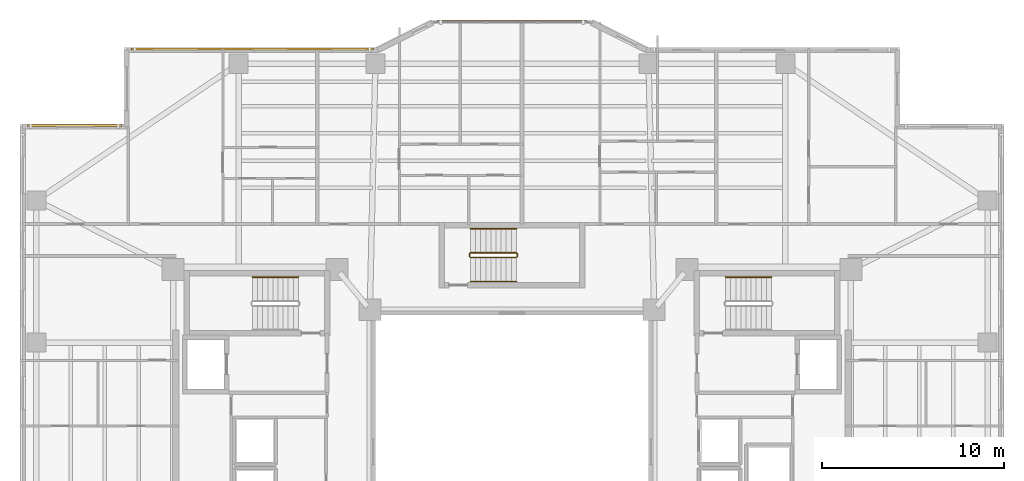
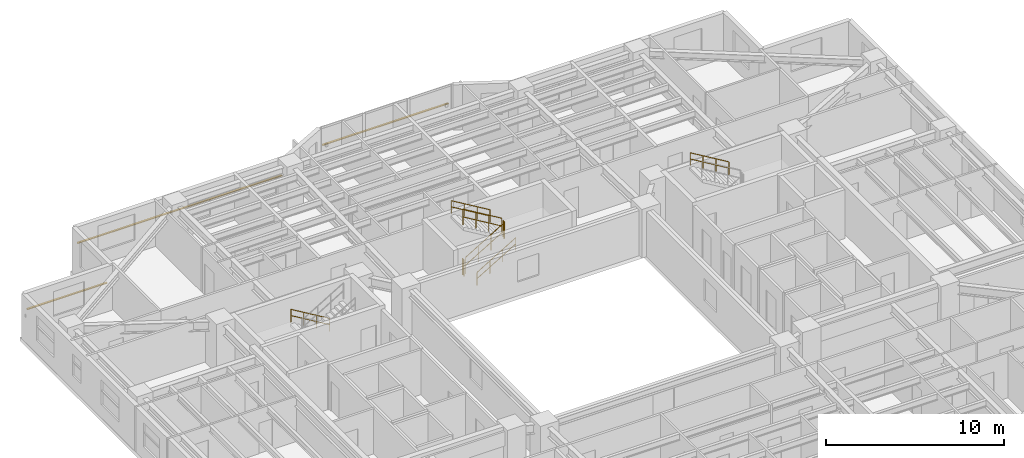
# One storey, part 18 of 19: 8 railings, 3 shading devices.
"""IFC4 building model written with IfcOpenShell, lengths in metres."""

from ifc_helpers import new_model, si_unit, direction, frame, origin, origin_2d, place, context, subcontext, project, spatial, rectangle, circle, extrude, material, material_profile, profile_set, type_object, element, save


model = new_model("IFC4")

# Units and contexts
model_context = context("Model", 3, precision=1e-05, world=origin(), true_north=direction((0.0, 1.0)))
body_context = subcontext(model_context, "Body", "Model", "MODEL_VIEW")
ifc_project = project(units=[si_unit("LENGTHUNIT", "METRE"), si_unit("AREAUNIT", "SQUARE_METRE"), si_unit("VOLUMEUNIT", "CUBIC_METRE"), si_unit("PLANEANGLEUNIT", "RADIAN"), si_unit("MASSUNIT", "GRAM", prefix="KILO")], contexts=[model_context])

# Site, building, storey
site_placement = place(None, origin())
site = spatial("IfcSite", under=ifc_project, at=site_placement, CompositionType="ELEMENT")
building_placement = place(site_placement, origin())
building = spatial("IfcBuilding", under=site, at=building_placement, Name="Tarnavaz Court Tower", CompositionType="ELEMENT")
storey_placement = place(building_placement, frame((0.0, 0.0, 81.64990234375)))
storey = spatial("IfcBuildingStorey", under=building, at=storey_placement, Name="L21", CompositionType="ELEMENT", Elevation=81.64990234375)

# Railings
ifc_material_1 = material(Name="Brushed Stainless Steel", Category="steel")
railing_type_1 = type_object("IfcRailingType", Name="RL-HANDRAIL-900", PredefinedType="HANDRAIL", material=ifc_material_1)
for number, where, name in (
    (1, (-11.719970703125, 9.590087890625, 0.16748046875), "L21 ST-W1 stair handrail 1"),
    (2, (14.239990234375, 9.590087890625, 1.842529296875), "L21 ST-E1 stair handrail 2"),
):
    element("IfcRailing", number, at=place(storey_placement, frame(where)), inside=storey, type_object=railing_type_1, Name=name, PredefinedType="HANDRAIL", context=body_context, shape_type="SweptSolid", body=[
        extrude(circle(Radius=0.02392578125, at=origin_2d()), frame((0.0, 0.0, 0.8759765625), z_axis=(-0.858159760407, 0.0, 0.513382728203), x_axis=(0.0, -1.0, 0.0)), (0.0, 0.0, 1.0), 2.9365234375),
        extrude(circle(Radius=0.02392578125, at=origin_2d()), frame((0.0, 0.0, 0.449951171875), z_axis=(-0.858159760407, 0.0, 0.513382728203), x_axis=(0.0, -1.0, 0.0)), (0.0, 0.0, 1.0), 2.9365234375),
        extrude(circle(Radius=0.02099609375, at=origin_2d()), origin(), (0.0, 0.0, 1.0), 0.851806640625),
        extrude(circle(Radius=0.02099609375, at=origin_2d()), frame((-0.840087890625, 0.0, 0.50244140625)), (0.0, 0.0, 1.0), 0.851806640625),
        extrude(circle(Radius=0.02099609375, at=origin_2d()), frame((-1.679931640625, 0.0, 1.005126953125)), (0.0, 0.0, 1.0), 0.851806640625),
        extrude(circle(Radius=0.02099609375, at=origin_2d()), frame((-2.52001953125, 0.0, 1.507568359375)), (0.0, 0.0, 1.0), 0.851806640625),
    ])
railing_1_placement = place(storey_placement, frame((-2.280029296875, 9.35009765625, 0.16748046875)))
element("IfcRailing", 3, at=railing_1_placement, inside=storey, type_object=railing_type_1, Name="L21 ST-N1 stair handrail 1", PredefinedType="HANDRAIL", context=body_context, shape_type="SweptSolid", body=[
    extrude(circle(Radius=0.02392578125, at=origin_2d()), frame((0.0, 0.0, 0.8759765625), z_axis=(0.858159760407, 0.0, 0.513382728203), x_axis=(0.0, 1.0, 0.0)), (0.0, 0.0, 1.0), 2.9365234375),
    extrude(circle(Radius=0.02392578125, at=origin_2d()), frame((0.0, 0.0, 0.449951171875), z_axis=(0.858159760407, 0.0, 0.513382728203), x_axis=(0.0, 1.0, 0.0)), (0.0, 0.0, 1.0), 2.9365234375),
    extrude(circle(Radius=0.02099609375, at=origin_2d()), origin(), (0.0, 0.0, 1.0), 0.851806640625),
    extrude(circle(Radius=0.02099609375, at=origin_2d()), frame((0.840087890625, 0.0, 0.50244140625)), (0.0, 0.0, 1.0), 0.851806640625),
    extrude(circle(Radius=0.02099609375, at=origin_2d()), frame((1.679931640625, 0.0, 1.005126953125)), (0.0, 0.0, 1.0), 0.851806640625),
    extrude(circle(Radius=0.02099609375, at=origin_2d()), frame((2.52001953125, 0.0, 1.507568359375)), (0.0, 0.0, 1.0), 0.851806640625),
])
railing_2_placement = place(storey_placement, frame((0.239990234375, 12.239990234375, 1.842529296875)))
element("IfcRailing", 4, at=railing_2_placement, inside=storey, type_object=railing_type_1, Name="L21 ST-N1 stair handrail 2", PredefinedType="HANDRAIL", context=body_context, shape_type="SweptSolid", body=[
    extrude(circle(Radius=0.02392578125, at=origin_2d()), frame((0.0, 0.0, 0.8759765625), z_axis=(-0.858159760407, 0.0, 0.513382728203), x_axis=(0.0, -1.0, 0.0)), (0.0, 0.0, 1.0), 2.9365234375),
    extrude(circle(Radius=0.02392578125, at=origin_2d()), frame((0.0, 0.0, 0.449951171875), z_axis=(-0.858159760407, 0.0, 0.513382728203), x_axis=(0.0, -1.0, 0.0)), (0.0, 0.0, 1.0), 2.9365234375),
    extrude(circle(Radius=0.02099609375, at=origin_2d()), origin(), (0.0, 0.0, 1.0), 0.851806640625),
    extrude(circle(Radius=0.02099609375, at=origin_2d()), frame((-0.840087890625, 0.0, 0.50244140625)), (0.0, 0.0, 1.0), 0.851806640625),
    extrude(circle(Radius=0.02099609375, at=origin_2d()), frame((-1.679931640625, 0.0, 1.005126953125)), (0.0, 0.0, 1.0), 0.851806640625),
    extrude(circle(Radius=0.02099609375, at=origin_2d()), frame((-2.52001953125, 0.0, 1.507568359375)), (0.0, 0.0, 1.0), 0.851806640625),
])
ifc_material_2 = material(Name="Galvanized Painted Tubular Steel", Category="steel")
railing_type_2 = type_object("IfcRailingType", Name="RL-STGUARD-1120", PredefinedType="GUARDRAIL", material=ifc_material_2)
railing_3_placement = place(storey_placement, frame((-2.280029296875, 10.669921875, 0.16748046875)))
element("IfcRailing", 5, at=railing_3_placement, inside=storey, type_object=railing_type_2, Name="L21 ST-N1 stair guard 1", PredefinedType="GUARDRAIL", context=body_context, shape_type="SweptSolid", body=[
    extrude(circle(Radius=0.02392578125, at=origin_2d()), frame((0.0, 0.0, 1.09619140625), z_axis=(0.858159760407, 0.0, 0.513382728203), x_axis=(0.0, 1.0, 0.0)), (0.0, 0.0, 1.0), 2.9365234375),
    extrude(circle(Radius=0.02392578125, at=origin_2d()), frame((0.0, 0.0, 0.56005859375), z_axis=(0.858159760407, 0.0, 0.513382728203), x_axis=(0.0, 1.0, 0.0)), (0.0, 0.0, 1.0), 2.9365234375),
    extrude(circle(Radius=0.02099609375, at=origin_2d()), origin(), (0.0, 0.0, 1.0), 1.072021484375),
    extrude(circle(Radius=0.02099609375, at=origin_2d()), frame((0.840087890625, 0.0, 0.50244140625)), (0.0, 0.0, 1.0), 1.072021484375),
    extrude(circle(Radius=0.02099609375, at=origin_2d()), frame((1.679931640625, 0.0, 1.005126953125)), (0.0, 0.0, 1.0), 1.072021484375),
    extrude(circle(Radius=0.02099609375, at=origin_2d()), frame((2.52001953125, 0.0, 1.507568359375)), (0.0, 0.0, 1.0), 1.072021484375),
])
railing_4_placement = place(storey_placement, frame((0.2900390625, 10.719970703125, 1.675048828125)))
element("IfcRailing", 6, at=railing_4_placement, inside=storey, type_object=railing_type_2, Name="L21 ST-N1 stair guard 2", PredefinedType="GUARDRAIL", context=body_context, shape_type="SweptSolid", body=[
    extrude(circle(Radius=0.02392578125, at=origin_2d()), frame((0.0, 0.0, 1.09619140625), z_axis=(0.0, 1.0, 0.0), x_axis=(-1.0, 0.0, 0.0)), (0.0, 0.0, 1.0), 0.150146484375),
    extrude(circle(Radius=0.02392578125, at=origin_2d()), frame((0.0, 0.0, 0.56005859375), z_axis=(0.0, 1.0, 0.0), x_axis=(-1.0, 0.0, 0.0)), (0.0, 0.0, 1.0), 0.150146484375),
    extrude(circle(Radius=0.02099609375, at=origin_2d()), origin(), (0.0, 0.0, 1.0), 1.072021484375),
    extrude(circle(Radius=0.02099609375, at=origin_2d()), frame((0.0, 0.150146484375, 0.0)), (0.0, 0.0, 1.0), 1.072021484375),
])
railing_5_placement = place(storey_placement, frame((0.239990234375, 10.919921875, 1.842529296875)))
element("IfcRailing", 7, at=railing_5_placement, inside=storey, type_object=railing_type_2, Name="L21 ST-N1 stair guard 3", PredefinedType="GUARDRAIL", context=body_context, shape_type="SweptSolid", body=[
    extrude(circle(Radius=0.02392578125, at=origin_2d()), frame((0.0, 0.0, 1.09619140625), z_axis=(-0.858159760407, 0.0, 0.513382728203), x_axis=(0.0, -1.0, 0.0)), (0.0, 0.0, 1.0), 2.9365234375),
    extrude(circle(Radius=0.02392578125, at=origin_2d()), frame((0.0, 0.0, 0.56005859375), z_axis=(-0.858159760407, 0.0, 0.513382728203), x_axis=(0.0, -1.0, 0.0)), (0.0, 0.0, 1.0), 2.9365234375),
    extrude(circle(Radius=0.02099609375, at=origin_2d()), origin(), (0.0, 0.0, 1.0), 1.072021484375),
    extrude(circle(Radius=0.02099609375, at=origin_2d()), frame((-0.840087890625, 0.0, 0.50244140625)), (0.0, 0.0, 1.0), 1.072021484375),
    extrude(circle(Radius=0.02099609375, at=origin_2d()), frame((-1.679931640625, 0.0, 1.005126953125)), (0.0, 0.0, 1.0), 1.072021484375),
    extrude(circle(Radius=0.02099609375, at=origin_2d()), frame((-2.52001953125, 0.0, 1.507568359375)), (0.0, 0.0, 1.0), 1.072021484375),
])
railing_6_placement = place(storey_placement, frame((-2.330078125, 10.719970703125, 0.0)))
element("IfcRailing", 8, at=railing_6_placement, inside=storey, type_object=railing_type_2, Name="L21 ST-N1 stair guard 4", PredefinedType="GUARDRAIL", context=body_context, shape_type="SweptSolid", body=[
    extrude(circle(Radius=0.02392578125, at=origin_2d()), frame((0.0, 0.0, 1.09619140625), z_axis=(0.0, 1.0, 0.0), x_axis=(-1.0, 0.0, 0.0)), (0.0, 0.0, 1.0), 0.150146484375),
    extrude(circle(Radius=0.02392578125, at=origin_2d()), frame((0.0, 0.0, 0.56005859375), z_axis=(0.0, 1.0, 0.0), x_axis=(-1.0, 0.0, 0.0)), (0.0, 0.0, 1.0), 0.150146484375),
    extrude(circle(Radius=0.02099609375, at=origin_2d()), origin(), (0.0, 0.0, 1.0), 1.072021484375),
    extrude(circle(Radius=0.02099609375, at=origin_2d()), frame((0.0, 0.150146484375, 0.0)), (0.0, 0.0, 1.0), 1.072021484375),
])

# Shading devices
ifc_material_3 = material(Name="Kiln-Fired Khorasan Terracotta Ceramic", Category="masonry")
ifc_material_profile = material_profile(ifc_material_3, rectangle(XDim=0.1201171875, YDim=0.06005859375, at=origin_2d()), Name="TC BAGUETTE 120X60")
ifc_profile_set = profile_set([ifc_material_profile], Name="Kiln-Fired Khorasan Terracotta Ceramic")
shading_device_type = type_object("IfcShadingDeviceType", Name="SD-BAG-120", PredefinedType="USERDEFINED", material=ifc_profile_set)
shading_device_1_placement = place(storey_placement, frame((-26.60009765625, 17.909912109375, 1.85009765625), z_axis=(1.0, 0.0, 0.0), x_axis=(0.0, 1.0, 0.0)))
element("IfcShadingDevice", 9, at=shading_device_1_placement, inside=storey, type_object=shading_device_type, Name="L21 Terracotta Baguette Screen FBG03", ObjectType="BAGUETTE", PredefinedType="USERDEFINED", context=body_context, shape_type="SweptSolid", body=[
    extrude(rectangle(XDim=0.1201171875, YDim=0.06005859375, at=origin_2d()), origin(), (0.0, 0.0, 1.0), 5.2001953125),
])
shading_device_2_placement = place(storey_placement, frame((-20.89990234375, 22.110107421875, 1.85009765625), z_axis=(1.0, 0.0, 0.0), x_axis=(0.0, 1.0, 0.0)))
element("IfcShadingDevice", 10, at=shading_device_2_placement, inside=storey, type_object=shading_device_type, Name="L21 Terracotta Baguette Screen FBG05", ObjectType="BAGUETTE", PredefinedType="USERDEFINED", context=body_context, shape_type="SweptSolid", body=[
    extrude(rectangle(XDim=0.1201171875, YDim=0.06005859375, at=origin_2d()), origin(), (0.0, 0.0, 1.0), 13.2998046875),
])
shading_device_3_placement = place(storey_placement, frame((-4.10009765625, 23.610107421875, 1.800048828125), z_axis=(1.0, 0.0, 0.0), x_axis=(0.0, 1.0, 0.0)))
element("IfcShadingDevice", 11, at=shading_device_3_placement, inside=storey, type_object=shading_device_type, Name="L21 Terracotta Baguette Screen PBG7", ObjectType="BAGUETTE", PredefinedType="USERDEFINED", context=body_context, shape_type="SweptSolid", body=[
    extrude(rectangle(XDim=0.1201171875, YDim=0.06005859375, at=origin_2d()), origin(), (0.0, 0.0, 1.0), 8.2001953125),
])

save(model, "model.ifc")
